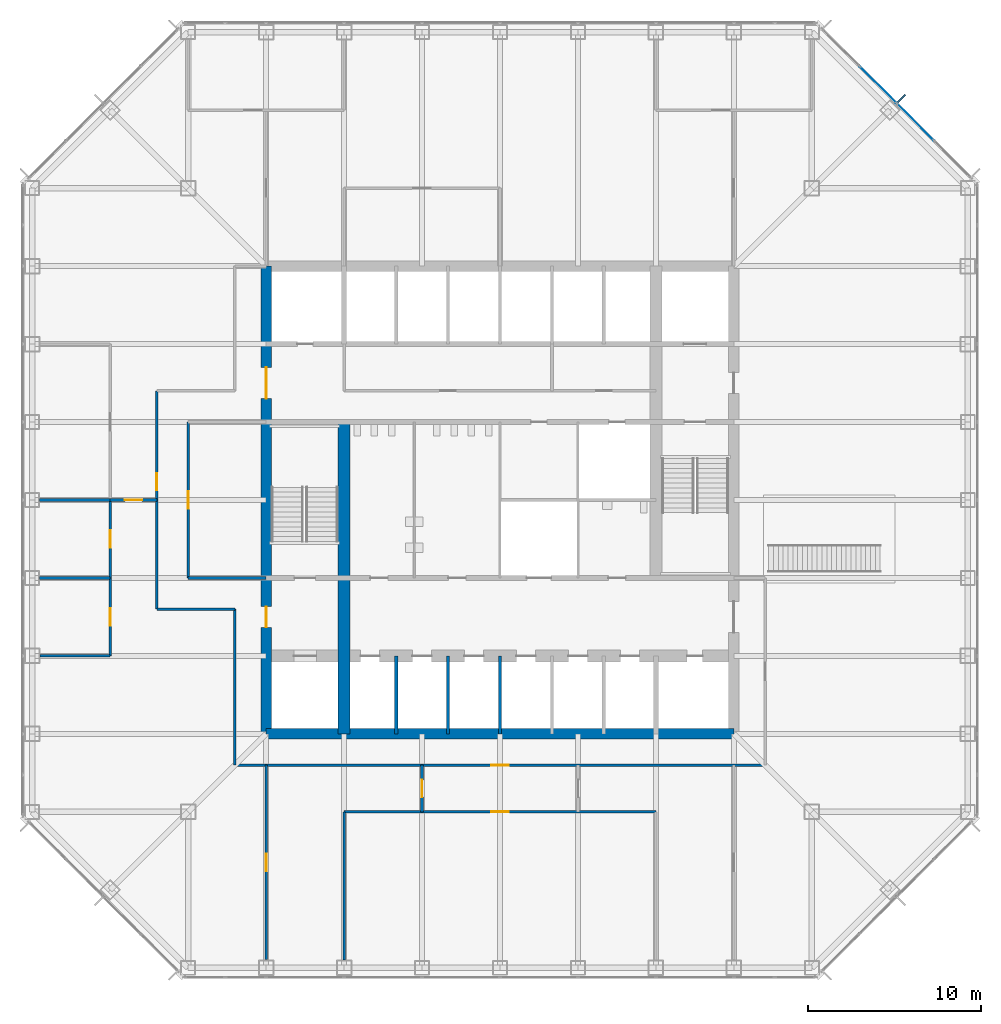
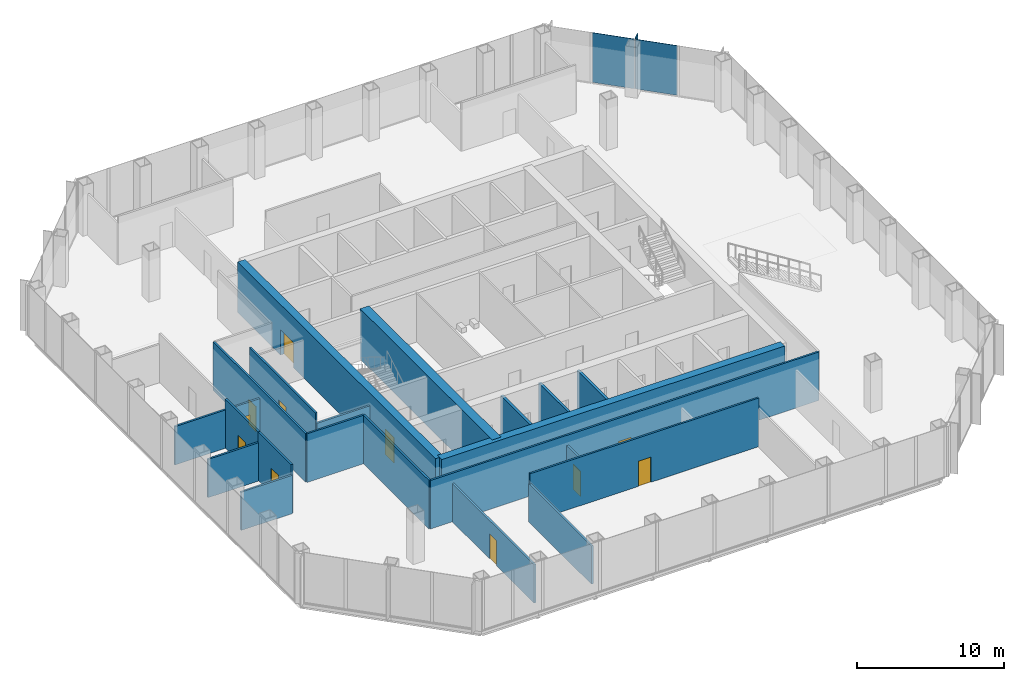
# One storey, part 8 of 12: 22 walls, 11 doors, 3 plates, 11 openings, 1 element without a shape of its own.
"""IFC4 building model written with IfcOpenShell, lengths in metres."""

from ifc_helpers import new_model, si_unit, direction, frame, frame_2d, origin, origin_2d, place, context, subcontext, project, spatial, rectangle, extrude, material, layer, layer_set, type_object, element, fill, aggregate, save


model = new_model("IFC4")

# Units and contexts
model_context = context("Model", 3, precision=1e-05, world=origin(), true_north=direction((0.0, 1.0)))
body_context = subcontext(model_context, "Body", "Model", "MODEL_VIEW")
ifc_project = project(units=[si_unit("LENGTHUNIT", "METRE"), si_unit("AREAUNIT", "SQUARE_METRE"), si_unit("VOLUMEUNIT", "CUBIC_METRE"), si_unit("PLANEANGLEUNIT", "RADIAN"), si_unit("MASSUNIT", "GRAM", prefix="KILO")], contexts=[model_context])

# Site, building, storey
site_placement = place(None, origin())
site = spatial("IfcSite", under=ifc_project, at=site_placement, CompositionType="ELEMENT")
building_placement = place(site_placement, origin())
building = spatial("IfcBuilding", under=site, at=building_placement, Name="Corais Broadcast Tower", CompositionType="ELEMENT")
storey_placement = place(building_placement, frame((0.0, 0.0, 29.0)))
storey = spatial("IfcBuildingStorey", under=building, at=storey_placement, Name="L05", CompositionType="ELEMENT", Elevation=29.0)

# Curtain wall, plates
ifc_material_1 = material(Name="Aluminium and glass", Category="aluminium")
curtain_wall_type = type_object("IfcCurtainWallType", Name="Newsroom clear-glass curtain wall CW7", PredefinedType="NOTDEFINED", material=ifc_material_1)
curtain_wall_placement = place(storey_placement, origin())
curtain_wall = element("IfcCurtainWall", 1, at=curtain_wall_placement, inside=storey, type_object=curtain_wall_type, Name="CW7 curtain wall L05 5", PredefinedType="NOTDEFINED")
ifc_material_2 = material(Name="Clear low-iron laminated glass", Category="glass")
ifc_layer_1 = layer(ifc_material_2, 0.032958984375)
ifc_layer_set_1 = layer_set([ifc_layer_1], Name="Clear low-iron laminated glass")
plate_type_1 = type_object("IfcPlateType", Name="Clear glass panel CW7", PredefinedType="CURTAIN_PANEL", material=ifc_layer_set_1)
plate_1_placement = place(storey_placement, frame((50.9658203125, 48.81201171875, 0.06494140625), z_axis=(0.0, 0.0, 1.0), x_axis=(0.707106781187, -0.707106781187, 0.0)))
plate_1 = element("IfcPlate", 2, at=plate_1_placement, type_object=plate_type_1, Name="CW7 panel 3", PredefinedType="CURTAIN_PANEL", context=body_context, shape_type="SweptSolid", body=[
    extrude(rectangle(XDim=2.98095703125, YDim=0.032958984375, at=origin_2d()), origin(), (0.0, 0.0, 1.0), 4.135009765625),
])
ifc_material_3 = material(Name="Clear laminated glass", Category="glass")
ifc_layer_2 = layer(ifc_material_3, 0.037109375)
ifc_layer_set_2 = layer_set([ifc_layer_2], Name="Clear laminated glass")
plate_type_2 = type_object("IfcPlateType", Name="Operable glass panel CW7", PredefinedType="CURTAIN_PANEL", material=ifc_layer_set_2)
plate_2_placement = place(storey_placement, frame((48.81201171875, 50.9658203125, 0.06494140625), z_axis=(0.0, 0.0, 1.0), x_axis=(0.707106781187, -0.707106781187, 0.0)))
plate_2 = element("IfcPlate", 3, at=plate_2_placement, type_object=plate_type_2, Name="CW7 operable panel 2", PredefinedType="CURTAIN_PANEL", context=body_context, shape_type="SweptSolid", body=[
    extrude(rectangle(XDim=2.98095703125, YDim=0.037109375, at=origin_2d()), origin(), (0.0, 0.0, 1.0), 4.135009765625),
])
aggregate(curtain_wall, [plate_2, plate_1])

# Plate
ifc_material_4 = material(Name="Granite stone cladding", Category="masonry")
ifc_layer_3 = layer(ifc_material_4, 0.080078125)
ifc_layer_set_3 = layer_set([ifc_layer_3], Name="Granite stone cladding")
plate_type_3 = type_object("IfcPlateType", Name="Stone screen fin 80x600", PredefinedType="USERDEFINED", material=ifc_layer_set_3)
plate_3_placement = place(storey_placement, frame((50.1767578125, 50.1767578125, 0.0), z_axis=(0.0, 0.0, 1.0), x_axis=(0.707106781187, -0.707106781187, 0.0)))
element("IfcPlate", 4, at=plate_3_placement, inside=storey, type_object=plate_type_3, Name="SF1 stone screen fin L05", ObjectType="STONE SCREEN FIN", PredefinedType="USERDEFINED", context=body_context, shape_type="SweptSolid", body=[
    extrude(rectangle(XDim=0.080078125, YDim=0.60009765625, at=origin_2d()), origin(), (0.0, 0.0, 1.0), 4.199951171875),
])

# Walls
ifc_material_5 = material(Name="Concrete C50/60", Category="concrete")
ifc_layer_4 = layer(ifc_material_5, 0.699951171875)
ifc_layer_set_4 = layer_set([ifc_layer_4], Name="Concrete C50/60")
wall_type_1 = type_object("IfcWallType", Name="Core spine wall 700", PredefinedType="SHEAR", material=ifc_layer_set_4)
wall_1_placement = place(storey_placement, frame((18.0, 13.5, 0.0), z_axis=(0.0, 0.0, 1.0), x_axis=(0.0, 1.0, 0.0)))
element("IfcWall", 5, at=wall_1_placement, inside=storey, type_object=wall_type_1, Name="CR700 core wall X18A L05", PredefinedType="SHEAR", context=body_context, shape_type="SweptSolid", body=[
    extrude(rectangle(XDim=18.0, YDim=0.699951171875, at=frame_2d((9.0, 0.0))), origin(), (0.0, 0.0, 1.0), 4.199951171875),
])
ifc_material_6 = material(Name="Concrete C50/60", Category="concrete")
ifc_layer_5 = layer(ifc_material_6, 0.60009765625)
ifc_layer_set_5 = layer_set([ifc_layer_5], Name="Concrete C50/60")
wall_type_2 = type_object("IfcWallType", Name="Core wall 600", PredefinedType="SHEAR", material=ifc_layer_set_5)
wall_2_placement = place(storey_placement, frame((13.5, 13.5, 0.0), z_axis=(0.0, 0.0, 1.0), x_axis=(1.0, 0.0, 0.0)))
element("IfcWall", 6, at=wall_2_placement, inside=storey, type_object=wall_type_2, Name="CR600 core wall S L05", PredefinedType="SHEAR", context=body_context, shape_type="SweptSolid", body=[
    extrude(rectangle(XDim=27.0, YDim=0.60009765625, at=frame_2d((13.5, 0.0))), origin(), (0.0, 0.0, 1.0), 4.199951171875),
])

# Wall, openings, doors
wall_3_placement = place(storey_placement, frame((13.5, 40.5, 0.0), z_axis=(0.0, 0.0, 1.0), x_axis=(0.0, -1.0, 0.0)))
wall_3 = element("IfcWall", 7, at=wall_3_placement, inside=storey, type_object=wall_type_2, Name="CR600 core wall W L05", PredefinedType="SHEAR", context=body_context, shape_type="SweptSolid", body=[
    extrude(rectangle(XDim=27.0, YDim=0.60009765625, at=frame_2d((13.5, 0.0))), origin(), (0.0, 0.0, 1.0), 4.199951171875),
])
opening_1_placement = place(wall_3_placement, frame((19.64990234375, 0.0, 0.0)))
opening_1 = element("IfcOpeningElement", 8, at=opening_1_placement, cuts=wall_3, Name="Opening FD1", PredefinedType="OPENING", context=body_context, shape_type="SweptSolid", body=[
    extrude(rectangle(XDim=1.199951171875, YDim=2.10009765625, at=frame_2d((0.60009765625, 1.050048828125))), frame((0.0, 0.31005859375, 0.0), z_axis=(0.0, -1.0, 0.0), x_axis=(1.0, 0.0, 0.0)), (0.0, 0.0, 1.0), 0.6201171875),
])
opening_2_placement = place(wall_3_placement, frame((5.85009765625, 0.0, 0.0)))
opening_2 = element("IfcOpeningElement", 9, at=opening_2_placement, cuts=wall_3, Name="Opening FD2", PredefinedType="OPENING", context=body_context, shape_type="SweptSolid", body=[
    extrude(rectangle(XDim=1.800048828125, YDim=2.10009765625, at=frame_2d((0.89990234375, 1.050048828125))), frame((0.0, 0.31005859375, 0.0), z_axis=(0.0, -1.0, 0.0), x_axis=(1.0, 0.0, 0.0)), (0.0, 0.0, 1.0), 0.6201171875),
])
ifc_material_7 = material(Name="Steel fire door", Category="steel")
door_type_1 = type_object("IfcDoorType", Name="Fire door 1200x2100", OperationType="SINGLE_SWING_LEFT", PredefinedType="DOOR", material=ifc_material_7)
door_1_placement = place(opening_1_placement, origin())
door_1 = element("IfcDoor", 10, at=door_1_placement, inside=storey, type_object=door_type_1, Name="FD1 fire lobby A door L05", OperationType="SINGLE_SWING_RIGHT", OverallHeight=2.10009765625, OverallWidth=1.199951171875, PredefinedType="DOOR", context=body_context, shape_type="SweptSolid", body=[
    extrude(rectangle(XDim=1.199951171875, YDim=2.10009765625, at=frame_2d((0.60009765625, 1.050048828125))), frame((0.0, 0.02490234375, 0.0), z_axis=(0.0, -1.0, 0.0), x_axis=(1.0, 0.0, 0.0)), (0.0, 0.0, 1.0), 0.050048828125),
])
fill(opening_1, door_1)
ifc_material_8 = material(Name="Steel fire door", Category="steel")
door_type_2 = type_object("IfcDoorType", Name="Fire door pair 1800x2100", OperationType="DOUBLE_DOOR_SINGLE_SWING", PredefinedType="DOOR", material=ifc_material_8)
door_2_placement = place(opening_2_placement, origin())
door_2 = element("IfcDoor", 11, at=door_2_placement, inside=storey, type_object=door_type_2, Name="FD2 lift lobby door L05", OperationType="SINGLE_SWING_LEFT", OverallHeight=2.10009765625, OverallWidth=1.800048828125, PredefinedType="DOOR", context=body_context, shape_type="SweptSolid", body=[
    extrude(rectangle(XDim=1.800048828125, YDim=2.10009765625, at=frame_2d((0.89990234375, 1.050048828125))), frame((0.0, 0.02490234375, 0.0), z_axis=(0.0, -1.0, 0.0), x_axis=(1.0, 0.0, 0.0)), (0.0, 0.0, 1.0), 0.050048828125),
])
fill(opening_2, door_2)

# Wall, opening, door
ifc_material_9 = material(Name="Gypsum board on steel studs", Category="steel")
ifc_layer_6 = layer(ifc_material_9, 0.14990234375)
ifc_layer_set_6 = layer_set([ifc_layer_6], Name="Gypsum board on steel studs")
wall_type_3 = type_object("IfcWallType", Name="Partition 150", PredefinedType="PARTITIONING", material=ifc_layer_set_6)
wall_4_placement = place(storey_placement, frame((11.699951171875, 11.699951171875, 0.0), z_axis=(0.0, 0.0, 1.0), x_axis=(1.0, 0.0, 0.0)))
wall_4 = element("IfcWall", 12, at=wall_4_placement, inside=storey, type_object=wall_type_3, Name="IW3 corridor wall L05", PredefinedType="PARTITIONING", context=body_context, shape_type="SweptSolid", body=[
    extrude(rectangle(XDim=30.60009765625, YDim=0.14990234375, at=frame_2d((15.300048828125, 0.0))), origin(), (0.0, 0.0, 1.0), 4.0400390625),
])
opening_3_placement = place(wall_4_placement, frame((14.800048828125, 0.0, 0.0)))
opening_3 = element("IfcOpeningElement", 13, at=opening_3_placement, cuts=wall_4, Name="Opening D1", PredefinedType="OPENING", context=body_context, shape_type="SweptSolid", body=[
    extrude(rectangle(XDim=1.0, YDim=2.10009765625, at=frame_2d((0.5, 1.050048828125))), frame((0.0, 0.0849609375, 0.0), z_axis=(0.0, -1.0, 0.0), x_axis=(1.0, 0.0, 0.0)), (0.0, 0.0, 1.0), 0.169921875),
])
ifc_material_10 = material(Name="Timber door", Category="wood")
door_type_3 = type_object("IfcDoorType", Name="Single door 1000x2100", OperationType="SINGLE_SWING_LEFT", PredefinedType="DOOR", material=ifc_material_10)
door_3_placement = place(opening_3_placement, origin())
door_3 = element("IfcDoor", 14, at=door_3_placement, inside=storey, type_object=door_type_3, Name="D1 workplace door L05", OperationType="SINGLE_SWING_LEFT", OverallHeight=2.10009765625, OverallWidth=1.0, PredefinedType="DOOR", context=body_context, shape_type="SweptSolid", body=[
    extrude(rectangle(XDim=1.0, YDim=2.10009765625, at=frame_2d((0.5, 1.050048828125))), frame((0.0, 0.02490234375, 0.0), z_axis=(0.0, -1.0, 0.0), x_axis=(1.0, 0.0, 0.0)), (0.0, 0.0, 1.0), 0.050048828125),
])
fill(opening_3, door_3)

wall_5_placement = place(storey_placement, frame((7.199951171875, 33.300048828125, 0.0), z_axis=(0.0, 0.0, 1.0), x_axis=(0.0, -1.0, 0.0)))
wall_5 = element("IfcWall", 15, at=wall_5_placement, inside=storey, type_object=wall_type_3, Name="IW3 corridor wall L05", PredefinedType="PARTITIONING", context=body_context, shape_type="SweptSolid", body=[
    extrude(rectangle(XDim=12.60009765625, YDim=0.14990234375, at=frame_2d((6.300048828125, 0.0))), origin(), (0.0, 0.0, 1.0), 4.0400390625),
])
opening_4_placement = place(wall_5_placement, frame((4.75, 0.0, 0.0)))
opening_4 = element("IfcOpeningElement", 16, at=opening_4_placement, cuts=wall_5, Name="Opening D1", PredefinedType="OPENING", context=body_context, shape_type="SweptSolid", body=[
    extrude(rectangle(XDim=1.0, YDim=2.10009765625, at=frame_2d((0.5, 1.050048828125))), frame((0.0, 0.0849609375, 0.0), z_axis=(0.0, -1.0, 0.0), x_axis=(1.0, 0.0, 0.0)), (0.0, 0.0, 1.0), 0.169921875),
])
door_4_placement = place(opening_4_placement, origin())
door_4 = element("IfcDoor", 17, at=door_4_placement, inside=storey, type_object=door_type_3, Name="D1 workplace door L05", OperationType="SINGLE_SWING_LEFT", OverallHeight=2.10009765625, OverallWidth=1.0, PredefinedType="DOOR", context=body_context, shape_type="SweptSolid", body=[
    extrude(rectangle(XDim=1.0, YDim=2.10009765625, at=frame_2d((0.5, 1.050048828125))), frame((0.0, 0.02490234375, 0.0), z_axis=(0.0, -1.0, 0.0), x_axis=(1.0, 0.0, 0.0)), (0.0, 0.0, 1.0), 0.050048828125),
])
fill(opening_4, door_4)

# Walls
wall_6_placement = place(storey_placement, frame((11.699951171875, 20.699951171875, 0.0), z_axis=(0.0, 0.0, 1.0), x_axis=(0.0, -1.0, 0.0)))
element("IfcWall", 18, at=wall_6_placement, inside=storey, type_object=wall_type_3, Name="IW3 corridor wall L05", PredefinedType="PARTITIONING", context=body_context, shape_type="SweptSolid", body=[
    extrude(rectangle(XDim=9.0, YDim=0.14990234375, at=frame_2d((4.5, 0.0))), origin(), (0.0, 0.0, 1.0), 4.0400390625),
])
wall_7_placement = place(storey_placement, frame((7.199951171875, 20.699951171875, 0.0), z_axis=(0.0, 0.0, 1.0), x_axis=(1.0, 0.0, 0.0)))
element("IfcWall", 19, at=wall_7_placement, inside=storey, type_object=wall_type_3, Name="IW3 corridor wall L05", PredefinedType="PARTITIONING", context=body_context, shape_type="SweptSolid", body=[
    extrude(rectangle(XDim=4.5, YDim=0.14990234375, at=frame_2d((2.25, 0.0))), origin(), (0.0, 0.0, 1.0), 4.0400390625),
])

# Wall, opening, door
wall_8_placement = place(storey_placement, frame((36.0, 9.0, 0.0), z_axis=(0.0, 0.0, 1.0), x_axis=(-1.0, 0.0, 0.0)))
wall_8 = element("IfcWall", 20, at=wall_8_placement, inside=storey, type_object=wall_type_3, Name="IW3 partition L05", PredefinedType="PARTITIONING", context=body_context, shape_type="SweptSolid", body=[
    extrude(rectangle(XDim=18.0, YDim=0.14990234375, at=frame_2d((9.0, 0.0))), origin(), (0.0, 0.0, 1.0), 4.0400390625),
])
opening_5_placement = place(wall_8_placement, frame((8.5, 0.0, 0.0)))
opening_5 = element("IfcOpeningElement", 21, at=opening_5_placement, cuts=wall_8, Name="Opening D1", PredefinedType="OPENING", context=body_context, shape_type="SweptSolid", body=[
    extrude(rectangle(XDim=1.0, YDim=2.10009765625, at=frame_2d((0.5, 1.050048828125))), frame((0.0, 0.0849609375, 0.0), z_axis=(0.0, -1.0, 0.0), x_axis=(1.0, 0.0, 0.0)), (0.0, 0.0, 1.0), 0.169921875),
])
door_5_placement = place(opening_5_placement, origin())
door_5 = element("IfcDoor", 22, at=door_5_placement, inside=storey, type_object=door_type_3, Name="D1 News set door", OperationType="SINGLE_SWING_LEFT", OverallHeight=2.10009765625, OverallWidth=1.0, PredefinedType="DOOR", context=body_context, shape_type="SweptSolid", body=[
    extrude(rectangle(XDim=1.0, YDim=2.10009765625, at=frame_2d((0.5, 1.050048828125))), frame((0.0, 0.02490234375, 0.0), z_axis=(0.0, -1.0, 0.0), x_axis=(1.0, 0.0, 0.0)), (0.0, 0.0, 1.0), 0.050048828125),
])
fill(opening_5, door_5)

# Walls
wall_9_placement = place(storey_placement, frame((18.0, 9.0, 0.0), z_axis=(0.0, 0.0, 1.0), x_axis=(0.0, -1.0, 0.0)))
element("IfcWall", 23, at=wall_9_placement, inside=storey, type_object=wall_type_3, Name="IW3 partition L05", PredefinedType="PARTITIONING", context=body_context, shape_type="SweptSolid", body=[
    extrude(rectangle(XDim=8.5400390625, YDim=0.14990234375, at=frame_2d((4.27001953125, 0.0))), origin(), (0.0, 0.0, 1.0), 3.18896484375),
])
wall_10_placement = place(storey_placement, frame((0.4599609375, 18.0, 0.0), z_axis=(0.0, 0.0, 1.0), x_axis=(1.0, 0.0, 0.0)))
element("IfcWall", 24, at=wall_10_placement, inside=storey, type_object=wall_type_3, Name="IW3 partition L05", PredefinedType="PARTITIONING", context=body_context, shape_type="SweptSolid", body=[
    extrude(rectangle(XDim=4.0400390625, YDim=0.14990234375, at=frame_2d((2.02001953125, 0.0))), origin(), (0.0, 0.0, 1.0), 3.18896484375),
])

# Wall, opening, door
wall_11_placement = place(storey_placement, frame((4.5, 18.0, 0.0), z_axis=(0.0, 0.0, 1.0), x_axis=(0.0, 1.0, 0.0)))
wall_11 = element("IfcWall", 25, at=wall_11_placement, inside=storey, type_object=wall_type_3, Name="IW3 partition L05", PredefinedType="PARTITIONING", context=body_context, shape_type="SweptSolid", body=[
    extrude(rectangle(XDim=4.5, YDim=0.14990234375, at=frame_2d((2.25, 0.0))), origin(), (0.0, 0.0, 1.0), 4.0400390625),
])
opening_6_placement = place(wall_11_placement, frame((1.75, 0.0, 0.0)))
opening_6 = element("IfcOpeningElement", 26, at=opening_6_placement, cuts=wall_11, Name="Opening D1", PredefinedType="OPENING", context=body_context, shape_type="SweptSolid", body=[
    extrude(rectangle(XDim=1.0, YDim=2.10009765625, at=frame_2d((0.5, 1.050048828125))), frame((0.0, 0.0849609375, 0.0), z_axis=(0.0, -1.0, 0.0), x_axis=(1.0, 0.0, 0.0)), (0.0, 0.0, 1.0), 0.169921875),
])
door_6_placement = place(opening_6_placement, origin())
door_6 = element("IfcDoor", 27, at=door_6_placement, inside=storey, type_object=door_type_3, Name="D1 Output editor office door", OperationType="SINGLE_SWING_LEFT", OverallHeight=2.10009765625, OverallWidth=1.0, PredefinedType="DOOR", context=body_context, shape_type="SweptSolid", body=[
    extrude(rectangle(XDim=1.0, YDim=2.10009765625, at=frame_2d((0.5, 1.050048828125))), frame((0.0, 0.02490234375, 0.0), z_axis=(0.0, -1.0, 0.0), x_axis=(1.0, 0.0, 0.0)), (0.0, 0.0, 1.0), 0.050048828125),
])
fill(opening_6, door_6)

# Wall
wall_12_placement = place(storey_placement, frame((4.5, 22.5, 0.0), z_axis=(0.0, 0.0, 1.0), x_axis=(-1.0, 0.0, 0.0)))
element("IfcWall", 28, at=wall_12_placement, inside=storey, type_object=wall_type_3, Name="IW3 partition L05", PredefinedType="PARTITIONING", context=body_context, shape_type="SweptSolid", body=[
    extrude(rectangle(XDim=4.06494140625, YDim=0.14990234375, at=frame_2d((2.032470703125, 0.0))), origin(), (0.0, 0.0, 1.0), 3.18896484375),
])

# Wall, opening, door
wall_13_placement = place(storey_placement, frame((4.5, 22.5, 0.0), z_axis=(0.0, 0.0, 1.0), x_axis=(0.0, 1.0, 0.0)))
wall_13 = element("IfcWall", 29, at=wall_13_placement, inside=storey, type_object=wall_type_3, Name="IW3 partition L05", PredefinedType="PARTITIONING", context=body_context, shape_type="SweptSolid", body=[
    extrude(rectangle(XDim=4.5, YDim=0.14990234375, at=frame_2d((2.25, 0.0))), origin(), (0.0, 0.0, 1.0), 4.0400390625),
])
opening_7_placement = place(wall_13_placement, frame((1.75, 0.0, 0.0)))
opening_7 = element("IfcOpeningElement", 30, at=opening_7_placement, cuts=wall_13, Name="Opening D1", PredefinedType="OPENING", context=body_context, shape_type="SweptSolid", body=[
    extrude(rectangle(XDim=1.0, YDim=2.10009765625, at=frame_2d((0.5, 1.050048828125))), frame((0.0, 0.0849609375, 0.0), z_axis=(0.0, -1.0, 0.0), x_axis=(1.0, 0.0, 0.0)), (0.0, 0.0, 1.0), 0.169921875),
])
door_7_placement = place(opening_7_placement, origin())
door_7 = element("IfcDoor", 31, at=door_7_placement, inside=storey, type_object=door_type_3, Name="D1 Output editor office door", OperationType="SINGLE_SWING_LEFT", OverallHeight=2.10009765625, OverallWidth=1.0, PredefinedType="DOOR", context=body_context, shape_type="SweptSolid", body=[
    extrude(rectangle(XDim=1.0, YDim=2.10009765625, at=frame_2d((0.5, 1.050048828125))), frame((0.0, 0.02490234375, 0.0), z_axis=(0.0, -1.0, 0.0), x_axis=(1.0, 0.0, 0.0)), (0.0, 0.0, 1.0), 0.050048828125),
])
fill(opening_7, door_7)

# Walls
wall_14_placement = place(storey_placement, frame((4.5, 27.0, 0.0), z_axis=(0.0, 0.0, 1.0), x_axis=(-1.0, 0.0, 0.0)))
element("IfcWall", 32, at=wall_14_placement, inside=storey, type_object=wall_type_3, Name="IW3 partition L05", PredefinedType="PARTITIONING", context=body_context, shape_type="SweptSolid", body=[
    extrude(rectangle(XDim=4.06494140625, YDim=0.14990234375, at=frame_2d((2.032470703125, 0.0))), origin(), (0.0, 0.0, 1.0), 3.18896484375),
])
wall_15_placement = place(storey_placement, frame((9.0, 22.5, 0.0), z_axis=(0.0, 0.0, 1.0), x_axis=(1.0, 0.0, 0.0)))
element("IfcWall", 33, at=wall_15_placement, inside=storey, type_object=wall_type_3, Name="IW3 partition L05", PredefinedType="PARTITIONING", context=body_context, shape_type="SweptSolid", body=[
    extrude(rectangle(XDim=4.5, YDim=0.14990234375, at=frame_2d((2.25, 0.0))), origin(), (0.0, 0.0, 1.0), 3.18896484375),
])

# Wall, opening, door
wall_16_placement = place(storey_placement, frame((9.0, 31.5, 0.0), z_axis=(0.0, 0.0, 1.0), x_axis=(0.0, -1.0, 0.0)))
wall_16 = element("IfcWall", 34, at=wall_16_placement, inside=storey, type_object=wall_type_3, Name="IW3 partition L05", PredefinedType="PARTITIONING", context=body_context, shape_type="SweptSolid", body=[
    extrude(rectangle(XDim=9.0, YDim=0.14990234375, at=frame_2d((4.5, 0.0))), origin(), (0.0, 0.0, 1.0), 4.0400390625),
])
opening_8_placement = place(wall_16_placement, frame((4.0, 0.0, 0.0)))
opening_8 = element("IfcOpeningElement", 35, at=opening_8_placement, cuts=wall_16, Name="Opening D1", PredefinedType="OPENING", context=body_context, shape_type="SweptSolid", body=[
    extrude(rectangle(XDim=1.0, YDim=2.10009765625, at=frame_2d((0.5, 1.050048828125))), frame((0.0, 0.0849609375, 0.0), z_axis=(0.0, -1.0, 0.0), x_axis=(1.0, 0.0, 0.0)), (0.0, 0.0, 1.0), 0.169921875),
])
door_8_placement = place(opening_8_placement, origin())
door_8 = element("IfcDoor", 36, at=door_8_placement, inside=storey, type_object=door_type_3, Name="D1 Pantry door", OperationType="SINGLE_SWING_LEFT", OverallHeight=2.10009765625, OverallWidth=1.0, PredefinedType="DOOR", context=body_context, shape_type="SweptSolid", body=[
    extrude(rectangle(XDim=1.0, YDim=2.10009765625, at=frame_2d((0.5, 1.050048828125))), frame((0.0, 0.02490234375, 0.0), z_axis=(0.0, -1.0, 0.0), x_axis=(1.0, 0.0, 0.0)), (0.0, 0.0, 1.0), 0.050048828125),
])
fill(opening_8, door_8)

wall_17_placement = place(storey_placement, frame((13.5, 0.469970703125, 0.0), z_axis=(0.0, 0.0, 1.0), x_axis=(0.0, 1.0, 0.0)))
wall_17 = element("IfcWall", 37, at=wall_17_placement, inside=storey, type_object=wall_type_3, Name="IW3 partition L05", PredefinedType="PARTITIONING", context=body_context, shape_type="SweptSolid", body=[
    extrude(rectangle(XDim=11.22998046875, YDim=0.14990234375, at=frame_2d((5.614990234375, 0.0))), origin(), (0.0, 0.0, 1.0), 3.18896484375),
])
opening_9_placement = place(wall_17_placement, frame((5.114990234375, 0.0, 0.0)))
opening_9 = element("IfcOpeningElement", 38, at=opening_9_placement, cuts=wall_17, Name="Opening D1", PredefinedType="OPENING", context=body_context, shape_type="SweptSolid", body=[
    extrude(rectangle(XDim=1.0, YDim=2.10009765625, at=frame_2d((0.5, 1.050048828125))), frame((0.0, 0.0849609375, 0.0), z_axis=(0.0, -1.0, 0.0), x_axis=(1.0, 0.0, 0.0)), (0.0, 0.0, 1.0), 0.169921875),
])
door_9_placement = place(opening_9_placement, origin())
door_9 = element("IfcDoor", 39, at=door_9_placement, inside=storey, type_object=door_type_3, Name="D1 team room door L05", OperationType="SINGLE_SWING_LEFT", OverallHeight=2.10009765625, OverallWidth=1.0, PredefinedType="DOOR", context=body_context, shape_type="SweptSolid", body=[
    extrude(rectangle(XDim=1.0, YDim=2.10009765625, at=frame_2d((0.5, 1.050048828125))), frame((0.0, 0.02490234375, 0.0), z_axis=(0.0, -1.0, 0.0), x_axis=(1.0, 0.0, 0.0)), (0.0, 0.0, 1.0), 0.050048828125),
])
fill(opening_9, door_9)

wall_18_placement = place(storey_placement, frame((22.5, 11.699951171875, 0.0), z_axis=(0.0, 0.0, 1.0), x_axis=(0.0, -1.0, 0.0)))
wall_18 = element("IfcWall", 40, at=wall_18_placement, inside=storey, type_object=wall_type_3, Name="IW3 partition L05", PredefinedType="PARTITIONING", context=body_context, shape_type="SweptSolid", body=[
    extrude(rectangle(XDim=2.699951171875, YDim=0.14990234375, at=frame_2d((1.35009765625, 0.0))), origin(), (0.0, 0.0, 1.0), 3.18896484375),
])
opening_10_placement = place(wall_18_placement, frame((0.85009765625, 0.0, 0.0)))
opening_10 = element("IfcOpeningElement", 41, at=opening_10_placement, cuts=wall_18, Name="Opening D1", PredefinedType="OPENING", context=body_context, shape_type="SweptSolid", body=[
    extrude(rectangle(XDim=1.0, YDim=2.10009765625, at=frame_2d((0.5, 1.050048828125))), frame((0.0, 0.0849609375, 0.0), z_axis=(0.0, -1.0, 0.0), x_axis=(1.0, 0.0, 0.0)), (0.0, 0.0, 1.0), 0.169921875),
])
door_10_placement = place(opening_10_placement, origin())
door_10 = element("IfcDoor", 42, at=door_10_placement, inside=storey, type_object=door_type_3, Name="D1 team room door L05", OperationType="SINGLE_SWING_LEFT", OverallHeight=2.10009765625, OverallWidth=1.0, PredefinedType="DOOR", context=body_context, shape_type="SweptSolid", body=[
    extrude(rectangle(XDim=1.0, YDim=2.10009765625, at=frame_2d((0.5, 1.050048828125))), frame((0.0, 0.02490234375, 0.0), z_axis=(0.0, -1.0, 0.0), x_axis=(1.0, 0.0, 0.0)), (0.0, 0.0, 1.0), 0.050048828125),
])
fill(opening_10, door_10)

wall_19_placement = place(storey_placement, frame((4.5, 27.0, 0.0), z_axis=(0.0, 0.0, 1.0), x_axis=(1.0, 0.0, 0.0)))
wall_19 = element("IfcWall", 43, at=wall_19_placement, inside=storey, type_object=wall_type_3, Name="IW3 partition L05", PredefinedType="PARTITIONING", context=body_context, shape_type="SweptSolid", body=[
    extrude(rectangle(XDim=2.699951171875, YDim=0.14990234375, at=frame_2d((1.35009765625, 0.0))), origin(), (0.0, 0.0, 1.0), 3.18896484375),
])
opening_11_placement = place(wall_19_placement, frame((0.85009765625, 0.0, 0.0)))
opening_11 = element("IfcOpeningElement", 44, at=opening_11_placement, cuts=wall_19, Name="Opening D1", PredefinedType="OPENING", context=body_context, shape_type="SweptSolid", body=[
    extrude(rectangle(XDim=1.0, YDim=2.10009765625, at=frame_2d((0.5, 1.050048828125))), frame((0.0, 0.0849609375, 0.0), z_axis=(0.0, -1.0, 0.0), x_axis=(1.0, 0.0, 0.0)), (0.0, 0.0, 1.0), 0.169921875),
])
door_11_placement = place(opening_11_placement, origin())
door_11 = element("IfcDoor", 45, at=door_11_placement, inside=storey, type_object=door_type_3, Name="D1 team room door L05", OperationType="SINGLE_SWING_LEFT", OverallHeight=2.10009765625, OverallWidth=1.0, PredefinedType="DOOR", context=body_context, shape_type="SweptSolid", body=[
    extrude(rectangle(XDim=1.0, YDim=2.10009765625, at=frame_2d((0.5, 1.050048828125))), frame((0.0, 0.02490234375, 0.0), z_axis=(0.0, -1.0, 0.0), x_axis=(1.0, 0.0, 0.0)), (0.0, 0.0, 1.0), 0.050048828125),
])
fill(opening_11, door_11)

# Walls
ifc_material_11 = material(Name="Concrete blockwork class A, grouted, two-hour", Category="masonry")
ifc_layer_7 = layer(ifc_material_11, 0.199951171875)
ifc_layer_set_7 = layer_set([ifc_layer_7], Name="Concrete blockwork class A, grouted, two-hour")
wall_type_4 = type_object("IfcWallType", Name="Shaft wall 200", PredefinedType="PARTITIONING", material=ifc_layer_set_7)
for number, where, z_axis, x_axis, name in (
    (46, (21.0, 13.5, 0.0), (0.0, 0.0, 1.0), (0.0, 1.0, 0.0), "IW1 shaft wall L05"),
    (47, (24.0, 13.5, 0.0), (0.0, 0.0, 1.0), (0.0, 1.0, 0.0), "IW1 shaft wall L05"),
    (48, (27.0, 13.5, 0.0), (0.0, 0.0, 1.0), (0.0, 1.0, 0.0), "IW1 shaft wall L05"),
):
    element("IfcWall", number, at=place(storey_placement, frame(where, z_axis=z_axis, x_axis=x_axis)), inside=storey, type_object=wall_type_4, Name=name, PredefinedType="PARTITIONING", context=body_context, shape_type="SweptSolid", body=[
        extrude(rectangle(XDim=4.5, YDim=0.199951171875, at=frame_2d((2.25, 0.0))), origin(), (0.0, 0.0, 1.0), 4.0400390625),
    ])

save(model, "model.ifc")
